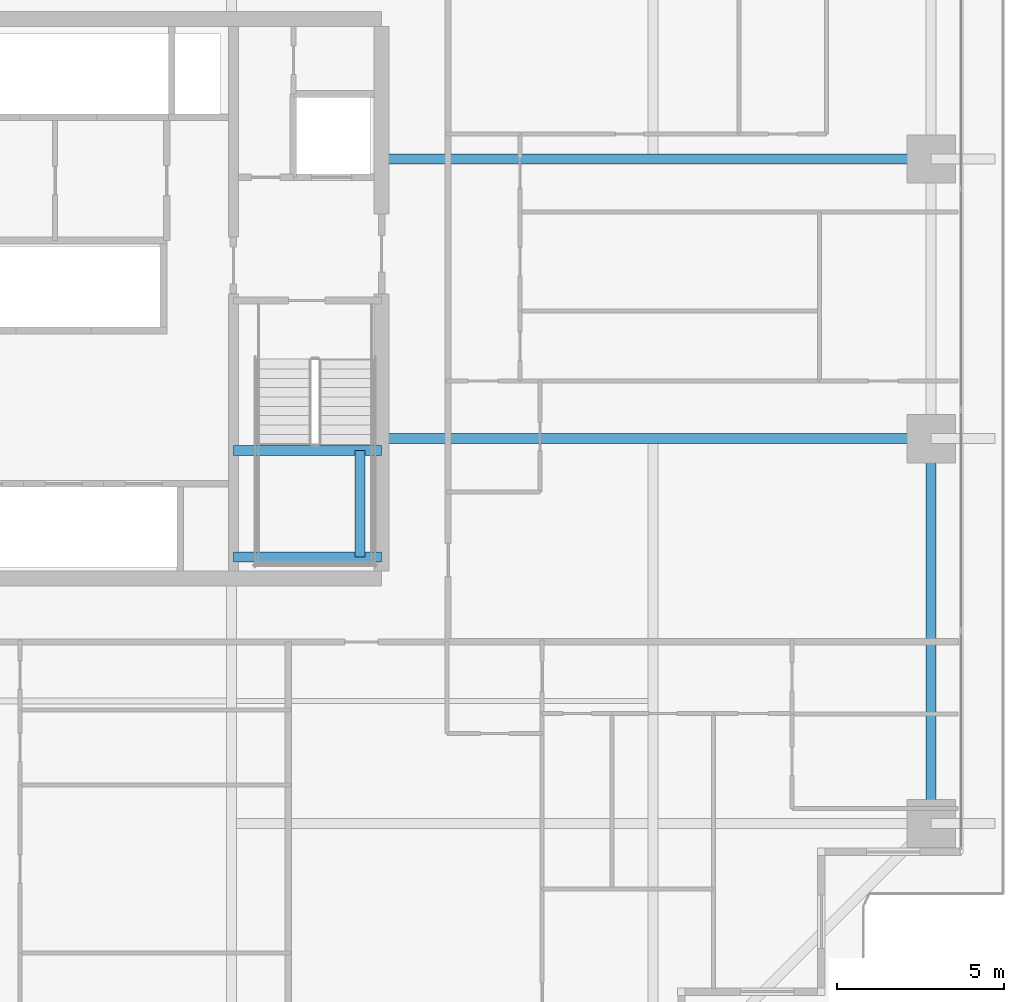
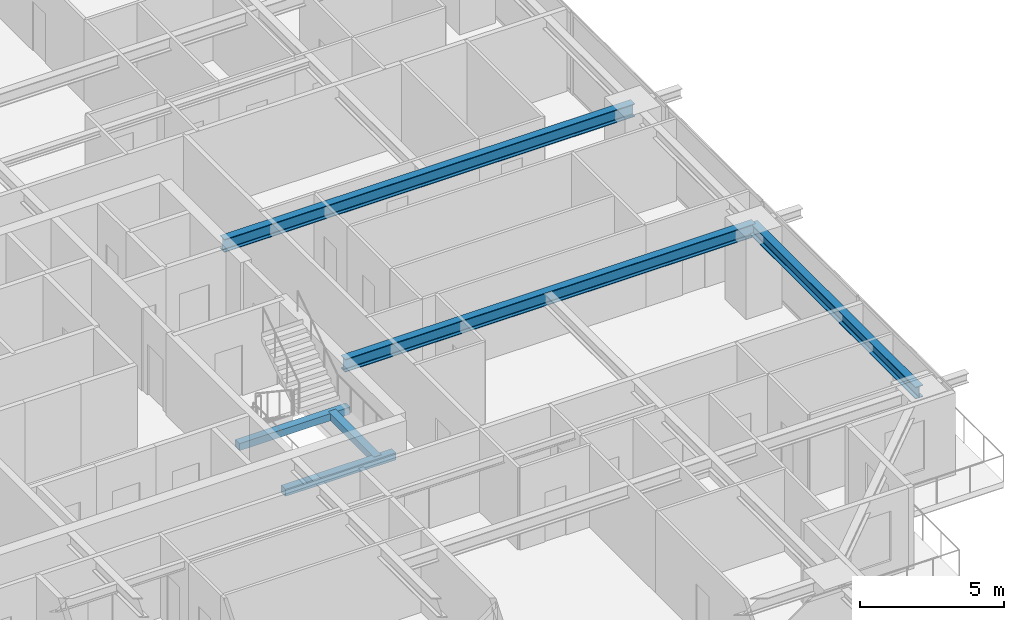
# One storey, part 13 of 35: 6 beams.
"""IFC4 building model written with IfcOpenShell, lengths in metres."""

from ifc_helpers import new_model, si_unit, direction, frame, origin, origin_2d, place, context, subcontext, project, spatial, rectangle, i_section, extrude, source, transform, mapped, material, material_profile, profile_set, type_object, element, save


model = new_model("IFC4")

# Units and contexts
model_context = context("Model", 3, precision=1e-05, world=origin(), true_north=direction((0.0, 1.0)))
body_context = subcontext(model_context, "Body", "Model", "MODEL_VIEW")
ifc_project = project(units=[si_unit("LENGTHUNIT", "METRE"), si_unit("AREAUNIT", "SQUARE_METRE"), si_unit("VOLUMEUNIT", "CUBIC_METRE"), si_unit("PLANEANGLEUNIT", "RADIAN"), si_unit("MASSUNIT", "GRAM", prefix="KILO")], contexts=[model_context])

# Site, building, storey
site_placement = place(None, origin())
site = spatial("IfcSite", under=ifc_project, at=site_placement, CompositionType="ELEMENT")
building_placement = place(site_placement, origin())
building = spatial("IfcBuilding", under=site, at=building_placement, Name="Serunith Strait Residences", CompositionType="ELEMENT")
storey_placement = place(building_placement, frame((0.0, 0.0, 71.699951171875)))
storey = spatial("IfcBuildingStorey", under=building, at=storey_placement, Name="L17", CompositionType="ELEMENT", Elevation=71.699951171875)

# Beams
ifc_material_1 = material(Name="Steel S355J2", Category="steel")
ifc_material_profile_1 = material_profile(ifc_material_1, i_section(OverallWidth=0.300048828125, OverallDepth=0.550048828125, WebThickness=0.014892578125, FlangeThickness=0.029052734375, FilletRadius=0.027099609375, at=origin_2d()), Name="HEB 550")
ifc_profile_set_1 = profile_set([ifc_material_profile_1], Name="Steel S355J2")
beam_type_1 = type_object("IfcBeamType", Name="BM-HEB550", PredefinedType="BEAM", material=ifc_profile_set_1)
shared_shape_1 = source(origin(), body_context, "Body", "SweptSolid", [
    extrude(i_section(OverallWidth=0.300048828125, OverallDepth=0.550048828125, WebThickness=0.014892578125, FlangeThickness=0.029052734375, FilletRadius=0.027099609375, at=origin_2d()), origin(), (0.0, 0.0, 1.0), 16.5),
])
for number, where, z_axis, x_axis, name in (
    (1, (41.39990234375, 21.0, 3.212158203125), (1.0, 0.0, 0.0), (0.0, 1.0, 0.0), "L17 Primary Floor Girder TC-E2"),
    (2, (41.39990234375, 29.39990234375, 3.212158203125), (1.0, 0.0, 0.0), (0.0, 1.0, 0.0), "L17 Primary Floor Girder TC-E3"),
):
    element("IfcBeam", number, at=place(storey_placement, frame(where, z_axis=z_axis, x_axis=x_axis)), inside=storey, type_object=beam_type_1, Name=name, PredefinedType="BEAM", context=body_context, shape_type="MappedRepresentation", body=[
        mapped(shared_shape_1, transform((0.0, 0.0, 0.0), scale=1.0)),
    ])
ifc_material_profile_2 = material_profile(ifc_material_1, i_section(OverallWidth=0.300048828125, OverallDepth=0.5, WebThickness=0.014404296875, FlangeThickness=0.028076171875, FilletRadius=0.027099609375, at=origin_2d()), Name="HEB 500")
ifc_profile_set_2 = profile_set([ifc_material_profile_2], Name="Steel S355J2")
beam_type_2 = type_object("IfcBeamType", Name="BM-HEB500", PredefinedType="BEAM", material=ifc_profile_set_2)
shared_shape_2 = source(origin(), body_context, "Body", "SweptSolid", [
    extrude(i_section(OverallWidth=0.300048828125, OverallDepth=0.5, WebThickness=0.014404296875, FlangeThickness=0.028076171875, FilletRadius=0.027099609375, at=origin_2d()), origin(), (0.0, 0.0, 1.0), 11.550048828125),
])
beam_1_placement = place(storey_placement, frame((57.89990234375, 9.449951171875, 3.237060546875), z_axis=(0.0, 1.0, 0.0), x_axis=(-1.0, 0.0, 0.0)))
element("IfcBeam", 3, at=beam_1_placement, inside=storey, type_object=beam_type_2, Name="L17 Perimeter Ring Beam 05", PredefinedType="BEAM", context=body_context, shape_type="MappedRepresentation", body=[
    mapped(shared_shape_2, transform((0.0, 0.0, 0.0), scale=1.0)),
])
ifc_material_2 = material(Name="Concrete C60/75", Category="concrete")
ifc_material_profile_3 = material_profile(ifc_material_2, rectangle(XDim=0.300048828125, YDim=0.300048828125, at=origin_2d()), Name="RC 300x300")
ifc_profile_set_3 = profile_set([ifc_material_profile_3], Name="Concrete C60/75")
beam_type_3 = type_object("IfcBeamType", Name="BM-LAND-300x300", PredefinedType="BEAM", material=ifc_profile_set_3)
shared_shape_3 = source(origin(), body_context, "Body", "SweptSolid", [
    extrude(rectangle(XDim=0.300048828125, YDim=0.300048828125, at=origin_2d()), origin(), (0.0, 0.0, 1.0), 3.199951171875),
])
beam_2_placement = place(storey_placement, frame((40.75, 17.449951171875, 1.525146484375), z_axis=(0.0, 1.0, 0.0), x_axis=(-1.0, 0.0, 0.0)))
element("IfcBeam", 4, at=beam_2_placement, inside=storey, type_object=beam_type_3, Name="L17 ST-2 Landing Transverse Tie Beam", PredefinedType="BEAM", context=body_context, shape_type="MappedRepresentation", body=[
    mapped(shared_shape_3, transform((0.0, 0.0, 0.0), scale=1.0)),
])
shared_shape_4 = source(origin(), body_context, "Body", "SweptSolid", [
    extrude(rectangle(XDim=0.300048828125, YDim=0.300048828125, at=origin_2d()), origin(), (0.0, 0.0, 1.0), 4.449951171875),
])
for number, where, z_axis, x_axis, name in (
    (5, (36.949951171875, 17.449951171875, 1.525146484375), (1.0, 0.0, 0.0), (0.0, 1.0, 0.0), "L17 ST-2 Landing Support Beam 1"),
    (6, (36.949951171875, 20.64990234375, 1.525146484375), (1.0, 0.0, 0.0), (0.0, 1.0, 0.0), "L17 ST-2 Landing Support Beam 2"),
):
    element("IfcBeam", number, at=place(storey_placement, frame(where, z_axis=z_axis, x_axis=x_axis)), inside=storey, type_object=beam_type_3, Name=name, PredefinedType="BEAM", context=body_context, shape_type="MappedRepresentation", body=[
        mapped(shared_shape_4, transform((0.0, 0.0, 0.0), scale=1.0)),
    ])

save(model, "model.ifc")
